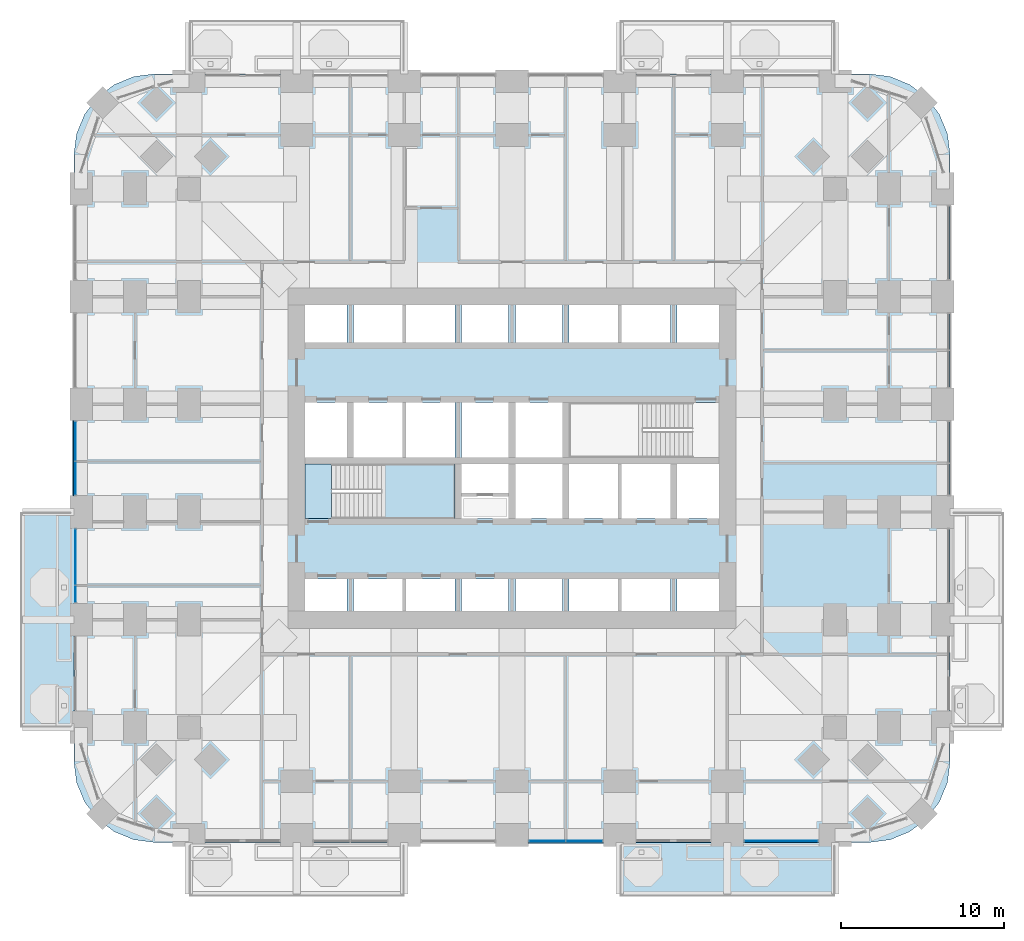
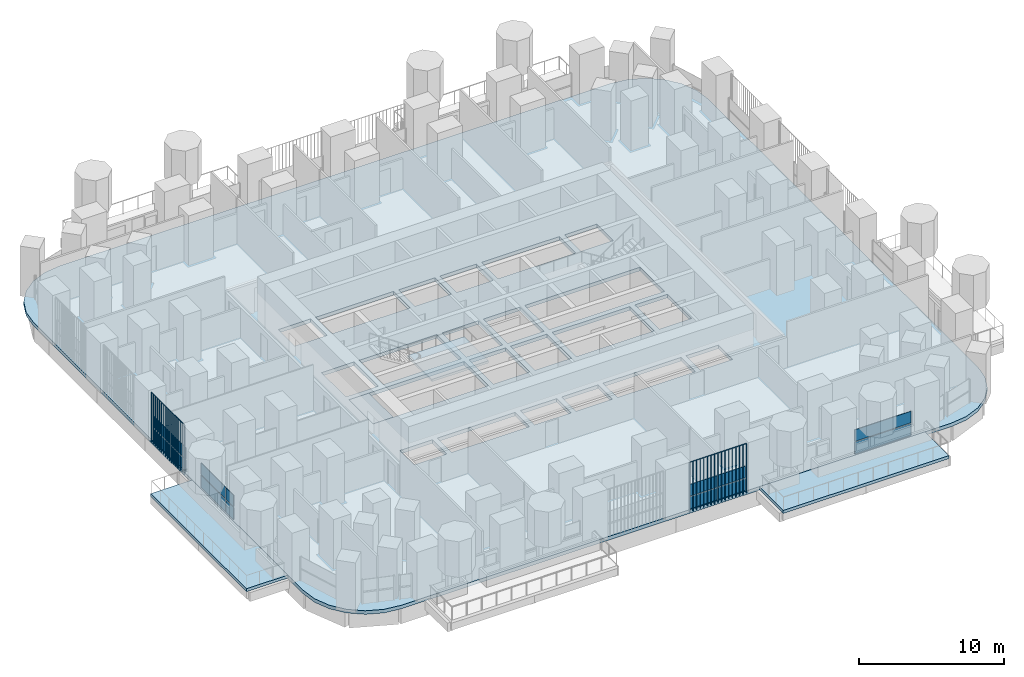
# One storey, part 12 of 27: 16 plates, 5 slabs, 5 elements without a shape of their own.
"""IFC4 building model written with IfcOpenShell, lengths in metres."""

from ifc_helpers import new_model, si_unit, direction, frame, origin, origin_2d, place, context, subcontext, project, spatial, polyline, rectangle, outline, extrude, material, layer, layer_set, type_object, element, aggregate, save


model = new_model("IFC4")

# Units and contexts
model_context = context("Model", 3, precision=1e-05, world=origin(), true_north=direction((0.0, 1.0)))
body_context = subcontext(model_context, "Body", "Model", "MODEL_VIEW")
ifc_project = project(units=[si_unit("LENGTHUNIT", "METRE"), si_unit("AREAUNIT", "SQUARE_METRE"), si_unit("VOLUMEUNIT", "CUBIC_METRE"), si_unit("PLANEANGLEUNIT", "RADIAN"), si_unit("MASSUNIT", "GRAM", prefix="KILO")], contexts=[model_context])

# Site, building, storey
site_placement = place(None, origin())
site = spatial("IfcSite", under=ifc_project, at=site_placement, CompositionType="ELEMENT")
building_placement = place(site_placement, origin())
building = spatial("IfcBuilding", under=site, at=building_placement, Name="Cobogo Forest Laboratory Tower", CompositionType="ELEMENT")
storey_placement = place(building_placement, frame((0.0, 0.0, 71.699951171875)))
storey = spatial("IfcBuildingStorey", under=building, at=storey_placement, Name="L16", CompositionType="ELEMENT", Elevation=71.699951171875)

# Slabs
ifc_material_1 = material(Name="Concrete HA-40 (C40/50)", Category="concrete")
ifc_layer_1 = layer(ifc_material_1, 0.25)
ifc_layer_set_1 = layer_set([ifc_layer_1], Name="Balcony slab 250")
slab_type_1 = type_object("IfcSlabType", Name="Balcony slab 250", PredefinedType="FLOOR", material=ifc_layer_set_1)
slab_1_placement = place(storey_placement, frame((0.0, 0.0, -0.25)))
element("IfcSlab", 1, at=slab_1_placement, inside=storey, type_object=slab_type_1, Name="Balcony BAL-S2 L16", PredefinedType="FLOOR", context=body_context, shape_type="SweptSolid", body=[
    extrude(outline(polyline([(33.0, -3.75), (46.199951171875, -3.75), (46.199951171875, -0.449951171875), (33.0, -0.449951171875), (33.0, -3.75)])), origin(), (0.0, 0.0, 1.0), 0.25),
])
slab_2_placement = place(storey_placement, frame((0.0, 0.0, -0.25)))
element("IfcSlab", 2, at=slab_2_placement, inside=storey, type_object=slab_type_1, Name="Balcony BAL-W1 L16", PredefinedType="FLOOR", context=body_context, shape_type="SweptSolid", body=[
    extrude(outline(polyline([(-3.75, 6.60009765625), (-0.449951171875, 6.60009765625), (-0.449951171875, 19.800048828125), (-3.75, 19.800048828125), (-3.75, 6.60009765625)])), origin(), (0.0, 0.0, 1.0), 0.25),
])
ifc_layer_2 = layer(ifc_material_1, 0.300048828125)
ifc_layer_set_2 = layer_set([ifc_layer_2], Name="Floor slab 300")
slab_type_2 = type_object("IfcSlabType", Name="Floor slab 300", PredefinedType="FLOOR", material=ifc_layer_set_2)
slab_3_placement = place(storey_placement, frame((0.0, 0.0, -0.300048828125)))
element("IfcSlab", 3, at=slab_3_placement, inside=storey, type_object=slab_type_2, Name="L16 floor slab", PredefinedType="FLOOR", context=body_context, shape_type="SweptSolid", body=[
    extrude(outline(polyline([(48.300048828125, -0.449951171875), (49.5810546875, -0.28125), (50.77490234375, 0.213134765625), (51.80029296875, 0.999755859375), (52.5869140625, 2.02490234375), (53.081298828125, 3.21875), (53.25, 4.5), (53.25, 41.699951171875), (53.081298828125, 42.981201171875), (52.5869140625, 44.175048828125), (51.80029296875, 45.2001953125), (50.77490234375, 45.98681640625), (49.5810546875, 46.4814453125), (48.300048828125, 46.64990234375), (4.5, 46.64990234375), (3.21875, 46.4814453125), (2.02490234375, 45.98681640625), (0.999755859375, 45.2001953125), (0.213134765625, 44.175048828125), (-0.28125, 42.981201171875), (-0.449951171875, 41.699951171875), (-0.449951171875, 4.5), (-0.28125, 3.21875), (0.213134765625, 2.02490234375), (0.999755859375, 0.999755859375), (2.02490234375, 0.213134765625), (3.21875, -0.28125), (4.5, -0.449951171875), (48.300048828125, -0.449951171875)]), holes=[polyline([(16.300048828125, 13.72509765625), (13.72509765625, 13.72509765625), (13.72509765625, 15.699951171875), (16.300048828125, 15.699951171875), (16.300048828125, 13.72509765625)]), polyline([(22.89990234375, 15.699951171875), (22.89990234375, 13.72509765625), (16.699951171875, 13.72509765625), (16.699951171875, 15.699951171875), (22.89990234375, 15.699951171875)]), polyline([(23.300048828125, 13.72509765625), (23.300048828125, 15.699951171875), (26.199951171875, 15.699951171875), (26.199951171875, 13.72509765625), (23.300048828125, 13.72509765625)]), polyline([(29.5, 13.72509765625), (26.60009765625, 13.72509765625), (26.60009765625, 15.699951171875), (29.5, 15.699951171875), (29.5, 13.72509765625)]), polyline([(36.10009765625, 15.699951171875), (36.10009765625, 13.72509765625), (29.89990234375, 13.72509765625), (29.89990234375, 15.699951171875), (36.10009765625, 15.699951171875)]), polyline([(36.5, 13.72509765625), (36.5, 15.699951171875), (39.074951171875, 15.699951171875), (39.074951171875, 13.72509765625), (36.5, 13.72509765625)]), polyline([(13.72509765625, 19.39990234375), (13.72509765625, 22.75), (22.89990234375, 22.75), (22.89990234375, 19.39990234375), (13.72509765625, 19.39990234375)]), polyline([(23.300048828125, 19.39990234375), (23.300048828125, 22.75), (26.199951171875, 22.75), (26.199951171875, 19.39990234375), (23.300048828125, 19.39990234375)]), polyline([(26.60009765625, 19.39990234375), (26.60009765625, 22.75), (29.5, 22.75), (29.5, 19.39990234375), (26.60009765625, 19.39990234375)]), polyline([(36.10009765625, 22.75), (36.10009765625, 19.39990234375), (29.89990234375, 19.39990234375), (29.89990234375, 22.75), (36.10009765625, 22.75)]), polyline([(39.074951171875, 19.39990234375), (36.5, 19.39990234375), (36.5, 22.75), (39.074951171875, 22.75), (39.074951171875, 19.39990234375)]), polyline([(13.72509765625, 23.14990234375), (13.72509765625, 26.5), (16.300048828125, 26.5), (16.300048828125, 23.14990234375), (13.72509765625, 23.14990234375)]), polyline([(22.89990234375, 26.5), (22.89990234375, 23.14990234375), (16.699951171875, 23.14990234375), (16.699951171875, 26.5), (22.89990234375, 26.5)]), polyline([(23.300048828125, 23.14990234375), (23.300048828125, 26.5), (26.199951171875, 26.5), (26.199951171875, 23.14990234375), (23.300048828125, 23.14990234375)]), polyline([(26.60009765625, 23.14990234375), (26.60009765625, 26.5), (29.5, 26.5), (29.5, 23.14990234375), (26.60009765625, 23.14990234375)]), polyline([(29.89990234375, 23.14990234375), (29.89990234375, 26.5), (39.074951171875, 26.5), (39.074951171875, 23.14990234375), (29.89990234375, 23.14990234375)]), polyline([(13.72509765625, 30.199951171875), (13.72509765625, 32.47509765625), (16.300048828125, 32.47509765625), (16.300048828125, 30.199951171875), (13.72509765625, 30.199951171875)]), polyline([(22.89990234375, 32.47509765625), (22.89990234375, 30.199951171875), (16.699951171875, 30.199951171875), (16.699951171875, 32.47509765625), (22.89990234375, 32.47509765625)]), polyline([(23.300048828125, 30.199951171875), (23.300048828125, 32.47509765625), (26.199951171875, 32.47509765625), (26.199951171875, 30.199951171875), (23.300048828125, 30.199951171875)]), polyline([(26.60009765625, 30.199951171875), (26.60009765625, 32.47509765625), (29.5, 32.47509765625), (29.5, 30.199951171875), (26.60009765625, 30.199951171875)]), polyline([(36.10009765625, 32.47509765625), (36.10009765625, 30.199951171875), (29.89990234375, 30.199951171875), (29.89990234375, 32.47509765625), (36.10009765625, 32.47509765625)]), polyline([(36.5, 30.199951171875), (36.5, 32.47509765625), (39.074951171875, 32.47509765625), (39.074951171875, 30.199951171875), (36.5, 30.199951171875)])]), origin(), (0.0, 0.0, 1.0), 0.300048828125),
])

# Curtain wall, plates
ifc_material_2 = material(Name="Aluminium curtain wall", Category="aluminium")
curtain_wall_type = type_object("IfcCurtainWallType", Name="CW-1 unitised curtain wall, clear glazing, laboratory floors zones A and B", PredefinedType="USERDEFINED", material=ifc_material_2)
curtain_wall_1_placement = place(storey_placement, origin())
curtain_wall_1 = element("IfcCurtainWall", 4, at=curtain_wall_1_placement, inside=storey, type_object=curtain_wall_type, Name="Curtain wall 04 L16", ObjectType="UNITISED CURTAIN WALL", PredefinedType="USERDEFINED")
ifc_material_3 = material(Name="Clear insulated glass", Category="glass")
ifc_layer_3 = layer(ifc_material_3, 0.028076171875)
ifc_layer_set_3 = layer_set([ifc_layer_3], Name="GP-1 clear insulated glass unit 28")
plate_type_1 = type_object("IfcPlateType", Name="GP-1 clear insulated glass unit 28", PredefinedType="CURTAIN_PANEL", material=ifc_layer_set_3)
plate_1_placement = place(storey_placement, frame((28.56494140625, -0.35009765625, 0.0), z_axis=(0.0, 0.0, 1.0), x_axis=(1.0, 0.0, 0.0)))
plate_1 = element("IfcPlate", 5, at=plate_1_placement, type_object=plate_type_1, Name="CW-1 panel 1.1", PredefinedType="CURTAIN_PANEL", context=body_context, shape_type="SweptSolid", body=[
    extrude(rectangle(XDim=2.2099609375, YDim=0.028076171875, at=origin_2d()), origin(), (0.0, 0.0, 1.0), 1.02001953125),
])
plate_2_placement = place(storey_placement, frame((28.56494140625, -0.35009765625, 1.080078125), z_axis=(0.0, 0.0, 1.0), x_axis=(1.0, 0.0, 0.0)))
plate_2 = element("IfcPlate", 6, at=plate_2_placement, type_object=plate_type_1, Name="CW-1 panel 1.2", PredefinedType="CURTAIN_PANEL", context=body_context, shape_type="SweptSolid", body=[
    extrude(rectangle(XDim=2.2099609375, YDim=0.028076171875, at=origin_2d()), origin(), (0.0, 0.0, 1.0), 0.969970703125),
])
plate_3_placement = place(storey_placement, frame((30.8349609375, -0.35009765625, 0.0), z_axis=(0.0, 0.0, 1.0), x_axis=(1.0, 0.0, 0.0)))
plate_3 = element("IfcPlate", 7, at=plate_3_placement, type_object=plate_type_1, Name="CW-1 panel 2.1", PredefinedType="CURTAIN_PANEL", context=body_context, shape_type="SweptSolid", body=[
    extrude(rectangle(XDim=2.2099609375, YDim=0.028076171875, at=origin_2d()), origin(), (0.0, 0.0, 1.0), 1.02001953125),
])
plate_4_placement = place(storey_placement, frame((30.8349609375, -0.35009765625, 1.080078125), z_axis=(0.0, 0.0, 1.0), x_axis=(1.0, 0.0, 0.0)))
plate_4 = element("IfcPlate", 8, at=plate_4_placement, type_object=plate_type_1, Name="CW-1 panel 2.2", PredefinedType="CURTAIN_PANEL", context=body_context, shape_type="SweptSolid", body=[
    extrude(rectangle(XDim=2.2099609375, YDim=0.028076171875, at=origin_2d()), origin(), (0.0, 0.0, 1.0), 0.969970703125),
])
aggregate(curtain_wall_1, [plate_1, plate_2, plate_3, plate_4])

curtain_wall_2_placement = place(storey_placement, origin())
curtain_wall_2 = element("IfcCurtainWall", 9, at=curtain_wall_2_placement, inside=storey, type_object=curtain_wall_type, Name="Curtain wall 06 L16", ObjectType="UNITISED CURTAIN WALL", PredefinedType="USERDEFINED")
plate_5_placement = place(storey_placement, frame((42.89990234375, -0.35009765625, 0.0), z_axis=(0.0, 0.0, 1.0), x_axis=(1.0, 0.0, 0.0)))
plate_5 = element("IfcPlate", 10, at=plate_5_placement, type_object=plate_type_1, Name="CW-1 panel 1.1", PredefinedType="CURTAIN_PANEL", context=body_context, shape_type="SweptSolid", body=[
    extrude(rectangle(XDim=4.47998046875, YDim=0.028076171875, at=origin_2d()), origin(), (0.0, 0.0, 1.0), 1.02001953125),
])
plate_6_placement = place(storey_placement, frame((42.89990234375, -0.35009765625, 1.080078125), z_axis=(0.0, 0.0, 1.0), x_axis=(1.0, 0.0, 0.0)))
plate_6 = element("IfcPlate", 11, at=plate_6_placement, type_object=plate_type_1, Name="CW-1 panel 1.2", PredefinedType="CURTAIN_PANEL", context=body_context, shape_type="SweptSolid", body=[
    extrude(rectangle(XDim=4.47998046875, YDim=0.028076171875, at=origin_2d()), origin(), (0.0, 0.0, 1.0), 0.969970703125),
])
aggregate(curtain_wall_2, [plate_5, plate_6])

curtain_wall_3_placement = place(storey_placement, origin())
curtain_wall_3 = element("IfcCurtainWall", 12, at=curtain_wall_3_placement, inside=storey, type_object=curtain_wall_type, Name="Curtain wall 29 L16", ObjectType="UNITISED CURTAIN WALL", PredefinedType="USERDEFINED")
plate_7_placement = place(storey_placement, frame((-0.35009765625, 24.135009765625, 0.0), z_axis=(0.0, 0.0, 1.0), x_axis=(0.0, -1.0, 0.0)))
plate_7 = element("IfcPlate", 13, at=plate_7_placement, type_object=plate_type_1, Name="CW-1 panel 1.1", PredefinedType="CURTAIN_PANEL", context=body_context, shape_type="SweptSolid", body=[
    extrude(rectangle(XDim=2.409912109375, YDim=0.028076171875, at=origin_2d()), origin(), (0.0, 0.0, 1.0), 1.02001953125),
])
plate_8_placement = place(storey_placement, frame((-0.35009765625, 24.135009765625, 1.080078125), z_axis=(0.0, 0.0, 1.0), x_axis=(0.0, -1.0, 0.0)))
plate_8 = element("IfcPlate", 14, at=plate_8_placement, type_object=plate_type_1, Name="CW-1 panel 1.2", PredefinedType="CURTAIN_PANEL", context=body_context, shape_type="SweptSolid", body=[
    extrude(rectangle(XDim=2.409912109375, YDim=0.028076171875, at=origin_2d()), origin(), (0.0, 0.0, 1.0), 0.969970703125),
])
plate_9_placement = place(storey_placement, frame((-0.35009765625, 21.864990234375, 0.0), z_axis=(0.0, 0.0, 1.0), x_axis=(0.0, -1.0, 0.0)))
plate_9 = element("IfcPlate", 15, at=plate_9_placement, type_object=plate_type_1, Name="CW-1 panel 2.1", PredefinedType="CURTAIN_PANEL", context=body_context, shape_type="SweptSolid", body=[
    extrude(rectangle(XDim=2.010009765625, YDim=0.028076171875, at=origin_2d()), origin(), (0.0, 0.0, 1.0), 1.02001953125),
])
plate_10_placement = place(storey_placement, frame((-0.35009765625, 21.864990234375, 1.080078125), z_axis=(0.0, 0.0, 1.0), x_axis=(0.0, -1.0, 0.0)))
plate_10 = element("IfcPlate", 16, at=plate_10_placement, type_object=plate_type_1, Name="CW-1 panel 2.2", PredefinedType="CURTAIN_PANEL", context=body_context, shape_type="SweptSolid", body=[
    extrude(rectangle(XDim=2.010009765625, YDim=0.028076171875, at=origin_2d()), origin(), (0.0, 0.0, 1.0), 0.969970703125),
])
aggregate(curtain_wall_3, [plate_7, plate_8, plate_9, plate_10])

curtain_wall_4_placement = place(storey_placement, origin())
curtain_wall_4 = element("IfcCurtainWall", 17, at=curtain_wall_4_placement, inside=storey, type_object=curtain_wall_type, Name="Curtain wall 30 L16", ObjectType="UNITISED CURTAIN WALL", PredefinedType="USERDEFINED")
plate_11_placement = place(storey_placement, frame((-0.35009765625, 17.034912109375, 0.0), z_axis=(0.0, 0.0, 1.0), x_axis=(0.0, -1.0, 0.0)))
plate_11 = element("IfcPlate", 18, at=plate_11_placement, type_object=plate_type_1, Name="CW-1 panel 1.1", PredefinedType="CURTAIN_PANEL", context=body_context, shape_type="SweptSolid", body=[
    extrude(rectangle(XDim=3.409912109375, YDim=0.028076171875, at=origin_2d()), origin(), (0.0, 0.0, 1.0), 1.02001953125),
])
plate_12_placement = place(storey_placement, frame((-0.35009765625, 17.034912109375, 1.080078125), z_axis=(0.0, 0.0, 1.0), x_axis=(0.0, -1.0, 0.0)))
plate_12 = element("IfcPlate", 19, at=plate_12_placement, type_object=plate_type_1, Name="CW-1 panel 1.2", PredefinedType="CURTAIN_PANEL", context=body_context, shape_type="SweptSolid", body=[
    extrude(rectangle(XDim=3.409912109375, YDim=0.028076171875, at=origin_2d()), origin(), (0.0, 0.0, 1.0), 0.969970703125),
])
plate_13_placement = place(storey_placement, frame((-0.35009765625, 14.764892578125, 0.0), z_axis=(0.0, 0.0, 1.0), x_axis=(0.0, -1.0, 0.0)))
plate_13 = element("IfcPlate", 20, at=plate_13_placement, type_object=plate_type_1, Name="CW-1 panel 2.1", PredefinedType="CURTAIN_PANEL", context=body_context, shape_type="SweptSolid", body=[
    extrude(rectangle(XDim=1.010009765625, YDim=0.028076171875, at=origin_2d()), origin(), (0.0, 0.0, 1.0), 1.02001953125),
])
plate_14_placement = place(storey_placement, frame((-0.35009765625, 14.764892578125, 1.080078125), z_axis=(0.0, 0.0, 1.0), x_axis=(0.0, -1.0, 0.0)))
plate_14 = element("IfcPlate", 21, at=plate_14_placement, type_object=plate_type_1, Name="CW-1 panel 2.2", PredefinedType="CURTAIN_PANEL", context=body_context, shape_type="SweptSolid", body=[
    extrude(rectangle(XDim=1.010009765625, YDim=0.028076171875, at=origin_2d()), origin(), (0.0, 0.0, 1.0), 0.969970703125),
])
aggregate(curtain_wall_4, [plate_11, plate_12, plate_13, plate_14])

# Stair, slabs
ifc_material_4 = material(Name="Precast concrete HA-40 (C40/50)", Category="concrete")
stair_type = type_object("IfcStairType", Name="ST24 exit stair 24 risers", PredefinedType="HALF_TURN_STAIR", material=ifc_material_4)
stair_placement = place(storey_placement, origin())
stair = element("IfcStair", 22, at=stair_placement, inside=storey, type_object=stair_type, Name="Stair 1 L16 to L17", PredefinedType="HALF_TURN_STAIR")
ifc_layer_4 = layer(ifc_material_1, 0.199951171875)
ifc_layer_set_4 = layer_set([ifc_layer_4], Name="SL stair landing 200")
slab_type_3 = type_object("IfcSlabType", Name="SL stair landing 200", PredefinedType="LANDING", material=ifc_layer_set_4)
slab_4_placement = place(storey_placement, frame((0.0, 0.0, -0.199951171875)))
slab_4 = element("IfcSlab", 23, at=slab_4_placement, type_object=slab_type_3, Name="ST1 landing 1", PredefinedType="LANDING", context=body_context, shape_type="SweptSolid", body=[
    extrude(outline(polyline([(13.72509765625, 19.39990234375), (15.326904296875, 19.39990234375), (15.326904296875, 22.75), (13.72509765625, 22.75), (13.72509765625, 19.39990234375)])), origin(), (0.0, 0.0, 1.0), 0.199951171875),
])
slab_5_placement = place(storey_placement, frame((0.0, 0.0, 1.900146484375)))
slab_5 = element("IfcSlab", 24, at=slab_5_placement, type_object=slab_type_3, Name="ST1 landing 2", PredefinedType="LANDING", context=body_context, shape_type="SweptSolid", body=[
    extrude(outline(polyline([(18.403076171875, 19.39990234375), (22.89990234375, 19.39990234375), (22.89990234375, 22.75), (18.403076171875, 22.75), (18.403076171875, 19.39990234375)])), origin(), (0.0, 0.0, 1.0), 0.199951171875),
])
aggregate(stair, [slab_4, slab_5])

# Plates
ifc_material_5 = material(Name="Terracotta", Category="masonry")
plate_type_2 = type_object("IfcPlateType", Name="TB1 terracotta baguette screen", PredefinedType="USERDEFINED", material=ifc_material_5)
plate_15_placement = place(storey_placement, frame((27.43115234375, -0.477783203125, -0.14990234375)))
element("IfcPlate", 25, at=plate_15_placement, inside=storey, type_object=plate_type_2, Name="Baguette screen S4 L16", ObjectType="BAGUETTE SCREEN", PredefinedType="USERDEFINED", context=body_context, shape_type="SweptSolid", body=[
    extrude(outline(polyline([(0.02880859375, 0.011962890625), (0.011962890625, 0.02880859375), (-0.011962890625, 0.02880859375), (-0.02880859375, 0.011962890625), (-0.02880859375, -0.011962890625), (-0.011962890625, -0.02880859375), (0.011962890625, -0.02880859375), (0.02880859375, -0.011962890625), (0.02880859375, 0.011962890625)])), frame((0.0, 0.0, 4.168701171875), z_axis=(1.0, 0.0, 0.0), x_axis=(0.0, 1.0, 0.0)), (0.0, 0.0, 1.0), 4.53759765625),
    extrude(outline(polyline([(0.02880859375, 0.011962890625), (0.011962890625, 0.02880859375), (-0.011962890625, 0.02880859375), (-0.02880859375, 0.011962890625), (-0.02880859375, -0.011962890625), (-0.011962890625, -0.02880859375), (0.011962890625, -0.02880859375), (0.02880859375, -0.011962890625), (0.02880859375, 0.011962890625)])), origin(), (0.0, 0.0, 1.0), 4.137451171875),
    extrude(outline(polyline([(0.02880859375, 0.011962890625), (0.011962890625, 0.02880859375), (-0.011962890625, 0.02880859375), (-0.02880859375, 0.011962890625), (-0.02880859375, -0.011962890625), (-0.011962890625, -0.02880859375), (0.011962890625, -0.02880859375), (0.02880859375, -0.011962890625), (0.02880859375, 0.011962890625)])), frame((0.28369140625, 0.0, 0.0)), (0.0, 0.0, 1.0), 4.137451171875),
    extrude(outline(polyline([(0.02880859375, 0.011962890625), (0.011962890625, 0.02880859375), (-0.011962890625, 0.02880859375), (-0.02880859375, 0.011962890625), (-0.02880859375, -0.011962890625), (-0.011962890625, -0.02880859375), (0.011962890625, -0.02880859375), (0.02880859375, -0.011962890625), (0.02880859375, 0.011962890625)])), frame((0.567138671875, 0.0, 0.0)), (0.0, 0.0, 1.0), 4.137451171875),
    extrude(outline(polyline([(0.02880859375, 0.011962890625), (0.011962890625, 0.02880859375), (-0.011962890625, 0.02880859375), (-0.02880859375, 0.011962890625), (-0.02880859375, -0.011962890625), (-0.011962890625, -0.02880859375), (0.011962890625, -0.02880859375), (0.02880859375, -0.011962890625), (0.02880859375, 0.011962890625)])), frame((0.850830078125, 0.0, 0.0)), (0.0, 0.0, 1.0), 4.137451171875),
    extrude(outline(polyline([(0.02880859375, 0.011962890625), (0.011962890625, 0.02880859375), (-0.011962890625, 0.02880859375), (-0.02880859375, 0.011962890625), (-0.02880859375, -0.011962890625), (-0.011962890625, -0.02880859375), (0.011962890625, -0.02880859375), (0.02880859375, -0.011962890625), (0.02880859375, 0.011962890625)])), frame((1.13427734375, 0.0, 0.0)), (0.0, 0.0, 1.0), 4.137451171875),
    extrude(outline(polyline([(0.02880859375, 0.011962890625), (0.011962890625, 0.02880859375), (-0.011962890625, 0.02880859375), (-0.02880859375, 0.011962890625), (-0.02880859375, -0.011962890625), (-0.011962890625, -0.02880859375), (0.011962890625, -0.02880859375), (0.02880859375, -0.011962890625), (0.02880859375, 0.011962890625)])), frame((1.41796875, 0.0, 0.0)), (0.0, 0.0, 1.0), 4.137451171875),
    extrude(outline(polyline([(0.02880859375, 0.011962890625), (0.011962890625, 0.02880859375), (-0.011962890625, 0.02880859375), (-0.02880859375, 0.011962890625), (-0.02880859375, -0.011962890625), (-0.011962890625, -0.02880859375), (0.011962890625, -0.02880859375), (0.02880859375, -0.011962890625), (0.02880859375, 0.011962890625)])), frame((1.70166015625, 0.0, 0.0)), (0.0, 0.0, 1.0), 4.137451171875),
    extrude(outline(polyline([(0.02880859375, 0.011962890625), (0.011962890625, 0.02880859375), (-0.011962890625, 0.02880859375), (-0.02880859375, 0.011962890625), (-0.02880859375, -0.011962890625), (-0.011962890625, -0.02880859375), (0.011962890625, -0.02880859375), (0.02880859375, -0.011962890625), (0.02880859375, 0.011962890625)])), frame((1.985107421875, 0.0, 0.0)), (0.0, 0.0, 1.0), 4.137451171875),
    extrude(outline(polyline([(0.02880859375, 0.011962890625), (0.011962890625, 0.02880859375), (-0.011962890625, 0.02880859375), (-0.02880859375, 0.011962890625), (-0.02880859375, -0.011962890625), (-0.011962890625, -0.02880859375), (0.011962890625, -0.02880859375), (0.02880859375, -0.011962890625), (0.02880859375, 0.011962890625)])), frame((2.268798828125, 0.0, 0.0)), (0.0, 0.0, 1.0), 4.137451171875),
    extrude(outline(polyline([(0.02880859375, 0.011962890625), (0.011962890625, 0.02880859375), (-0.011962890625, 0.02880859375), (-0.02880859375, 0.011962890625), (-0.02880859375, -0.011962890625), (-0.011962890625, -0.02880859375), (0.011962890625, -0.02880859375), (0.02880859375, -0.011962890625), (0.02880859375, 0.011962890625)])), frame((2.552490234375, 0.0, 0.0)), (0.0, 0.0, 1.0), 4.137451171875),
    extrude(outline(polyline([(0.02880859375, 0.011962890625), (0.011962890625, 0.02880859375), (-0.011962890625, 0.02880859375), (-0.02880859375, 0.011962890625), (-0.02880859375, -0.011962890625), (-0.011962890625, -0.02880859375), (0.011962890625, -0.02880859375), (0.02880859375, -0.011962890625), (0.02880859375, 0.011962890625)])), frame((2.8359375, 0.0, 0.0)), (0.0, 0.0, 1.0), 4.137451171875),
    extrude(outline(polyline([(0.02880859375, 0.011962890625), (0.011962890625, 0.02880859375), (-0.011962890625, 0.02880859375), (-0.02880859375, 0.011962890625), (-0.02880859375, -0.011962890625), (-0.011962890625, -0.02880859375), (0.011962890625, -0.02880859375), (0.02880859375, -0.011962890625), (0.02880859375, 0.011962890625)])), frame((3.11962890625, 0.0, 0.0)), (0.0, 0.0, 1.0), 4.137451171875),
    extrude(outline(polyline([(0.02880859375, 0.011962890625), (0.011962890625, 0.02880859375), (-0.011962890625, 0.02880859375), (-0.02880859375, 0.011962890625), (-0.02880859375, -0.011962890625), (-0.011962890625, -0.02880859375), (0.011962890625, -0.02880859375), (0.02880859375, -0.011962890625), (0.02880859375, 0.011962890625)])), frame((3.4033203125, 0.0, 0.0)), (0.0, 0.0, 1.0), 4.137451171875),
    extrude(outline(polyline([(0.02880859375, 0.011962890625), (0.011962890625, 0.02880859375), (-0.011962890625, 0.02880859375), (-0.02880859375, 0.011962890625), (-0.02880859375, -0.011962890625), (-0.011962890625, -0.02880859375), (0.011962890625, -0.02880859375), (0.02880859375, -0.011962890625), (0.02880859375, 0.011962890625)])), frame((3.686767578125, 0.0, 0.0)), (0.0, 0.0, 1.0), 4.137451171875),
    extrude(outline(polyline([(0.02880859375, 0.011962890625), (0.011962890625, 0.02880859375), (-0.011962890625, 0.02880859375), (-0.02880859375, 0.011962890625), (-0.02880859375, -0.011962890625), (-0.011962890625, -0.02880859375), (0.011962890625, -0.02880859375), (0.02880859375, -0.011962890625), (0.02880859375, 0.011962890625)])), frame((3.970458984375, 0.0, 0.0)), (0.0, 0.0, 1.0), 4.137451171875),
    extrude(outline(polyline([(0.02880859375, 0.011962890625), (0.011962890625, 0.02880859375), (-0.011962890625, 0.02880859375), (-0.02880859375, 0.011962890625), (-0.02880859375, -0.011962890625), (-0.011962890625, -0.02880859375), (0.011962890625, -0.02880859375), (0.02880859375, -0.011962890625), (0.02880859375, 0.011962890625)])), frame((4.25390625, 0.0, 0.0)), (0.0, 0.0, 1.0), 4.137451171875),
    extrude(outline(polyline([(0.02880859375, 0.011962890625), (0.011962890625, 0.02880859375), (-0.011962890625, 0.02880859375), (-0.02880859375, 0.011962890625), (-0.02880859375, -0.011962890625), (-0.011962890625, -0.02880859375), (0.011962890625, -0.02880859375), (0.02880859375, -0.011962890625), (0.02880859375, 0.011962890625)])), frame((4.53759765625, 0.0, 0.0)), (0.0, 0.0, 1.0), 4.137451171875),
])
plate_16_placement = place(storey_placement, frame((-0.477783203125, 20.831298828125, -0.14990234375)))
element("IfcPlate", 26, at=plate_16_placement, inside=storey, type_object=plate_type_2, Name="Baguette screen W3 L16", ObjectType="BAGUETTE SCREEN", PredefinedType="USERDEFINED", context=body_context, shape_type="SweptSolid", body=[
    extrude(outline(polyline([(0.02880859375, 0.011962890625), (0.011962890625, 0.02880859375), (-0.011962890625, 0.02880859375), (-0.02880859375, 0.011962890625), (-0.02880859375, -0.011962890625), (-0.011962890625, -0.02880859375), (0.011962890625, -0.02880859375), (0.02880859375, -0.011962890625), (0.02880859375, 0.011962890625)])), frame((0.0, 0.0, 4.168701171875), z_axis=(0.0, 1.0, 0.0), x_axis=(-1.0, 0.0, 0.0)), (0.0, 0.0, 1.0), 4.537353515625),
    extrude(outline(polyline([(0.02880859375, 0.011962890625), (0.011962890625, 0.02880859375), (-0.011962890625, 0.02880859375), (-0.02880859375, 0.011962890625), (-0.02880859375, -0.011962890625), (-0.011962890625, -0.02880859375), (0.011962890625, -0.02880859375), (0.02880859375, -0.011962890625), (0.02880859375, 0.011962890625)])), origin(), (0.0, 0.0, 1.0), 4.137451171875),
    extrude(outline(polyline([(0.02880859375, 0.011962890625), (0.011962890625, 0.02880859375), (-0.011962890625, 0.02880859375), (-0.02880859375, 0.011962890625), (-0.02880859375, -0.011962890625), (-0.011962890625, -0.02880859375), (0.011962890625, -0.02880859375), (0.02880859375, -0.011962890625), (0.02880859375, 0.011962890625)])), frame((0.0, 0.28369140625, 0.0)), (0.0, 0.0, 1.0), 4.137451171875),
    extrude(outline(polyline([(0.02880859375, 0.011962890625), (0.011962890625, 0.02880859375), (-0.011962890625, 0.02880859375), (-0.02880859375, 0.011962890625), (-0.02880859375, -0.011962890625), (-0.011962890625, -0.02880859375), (0.011962890625, -0.02880859375), (0.02880859375, -0.011962890625), (0.02880859375, 0.011962890625)])), frame((0.0, 0.567138671875, 0.0)), (0.0, 0.0, 1.0), 4.137451171875),
    extrude(outline(polyline([(0.02880859375, 0.011962890625), (0.011962890625, 0.02880859375), (-0.011962890625, 0.02880859375), (-0.02880859375, 0.011962890625), (-0.02880859375, -0.011962890625), (-0.011962890625, -0.02880859375), (0.011962890625, -0.02880859375), (0.02880859375, -0.011962890625), (0.02880859375, 0.011962890625)])), frame((0.0, 0.850830078125, 0.0)), (0.0, 0.0, 1.0), 4.137451171875),
    extrude(outline(polyline([(0.02880859375, 0.011962890625), (0.011962890625, 0.02880859375), (-0.011962890625, 0.02880859375), (-0.02880859375, 0.011962890625), (-0.02880859375, -0.011962890625), (-0.011962890625, -0.02880859375), (0.011962890625, -0.02880859375), (0.02880859375, -0.011962890625), (0.02880859375, 0.011962890625)])), frame((0.0, 1.13427734375, 0.0)), (0.0, 0.0, 1.0), 4.137451171875),
    extrude(outline(polyline([(0.02880859375, 0.011962890625), (0.011962890625, 0.02880859375), (-0.011962890625, 0.02880859375), (-0.02880859375, 0.011962890625), (-0.02880859375, -0.011962890625), (-0.011962890625, -0.02880859375), (0.011962890625, -0.02880859375), (0.02880859375, -0.011962890625), (0.02880859375, 0.011962890625)])), frame((0.0, 1.41796875, 0.0)), (0.0, 0.0, 1.0), 4.137451171875),
    extrude(outline(polyline([(0.02880859375, 0.011962890625), (0.011962890625, 0.02880859375), (-0.011962890625, 0.02880859375), (-0.02880859375, 0.011962890625), (-0.02880859375, -0.011962890625), (-0.011962890625, -0.02880859375), (0.011962890625, -0.02880859375), (0.02880859375, -0.011962890625), (0.02880859375, 0.011962890625)])), frame((0.0, 1.701416015625, 0.0)), (0.0, 0.0, 1.0), 4.137451171875),
    extrude(outline(polyline([(0.02880859375, 0.011962890625), (0.011962890625, 0.02880859375), (-0.011962890625, 0.02880859375), (-0.02880859375, 0.011962890625), (-0.02880859375, -0.011962890625), (-0.011962890625, -0.02880859375), (0.011962890625, -0.02880859375), (0.02880859375, -0.011962890625), (0.02880859375, 0.011962890625)])), frame((0.0, 1.985107421875, 0.0)), (0.0, 0.0, 1.0), 4.137451171875),
    extrude(outline(polyline([(0.02880859375, 0.011962890625), (0.011962890625, 0.02880859375), (-0.011962890625, 0.02880859375), (-0.02880859375, 0.011962890625), (-0.02880859375, -0.011962890625), (-0.011962890625, -0.02880859375), (0.011962890625, -0.02880859375), (0.02880859375, -0.011962890625), (0.02880859375, 0.011962890625)])), frame((0.0, 2.2685546875, 0.0)), (0.0, 0.0, 1.0), 4.137451171875),
    extrude(outline(polyline([(0.02880859375, 0.011962890625), (0.011962890625, 0.02880859375), (-0.011962890625, 0.02880859375), (-0.02880859375, 0.011962890625), (-0.02880859375, -0.011962890625), (-0.011962890625, -0.02880859375), (0.011962890625, -0.02880859375), (0.02880859375, -0.011962890625), (0.02880859375, 0.011962890625)])), frame((0.0, 2.55224609375, 0.0)), (0.0, 0.0, 1.0), 4.137451171875),
    extrude(outline(polyline([(0.02880859375, 0.011962890625), (0.011962890625, 0.02880859375), (-0.011962890625, 0.02880859375), (-0.02880859375, 0.011962890625), (-0.02880859375, -0.011962890625), (-0.011962890625, -0.02880859375), (0.011962890625, -0.02880859375), (0.02880859375, -0.011962890625), (0.02880859375, 0.011962890625)])), frame((0.0, 2.8359375, 0.0)), (0.0, 0.0, 1.0), 4.137451171875),
    extrude(outline(polyline([(0.02880859375, 0.011962890625), (0.011962890625, 0.02880859375), (-0.011962890625, 0.02880859375), (-0.02880859375, 0.011962890625), (-0.02880859375, -0.011962890625), (-0.011962890625, -0.02880859375), (0.011962890625, -0.02880859375), (0.02880859375, -0.011962890625), (0.02880859375, 0.011962890625)])), frame((0.0, 3.119384765625, 0.0)), (0.0, 0.0, 1.0), 4.137451171875),
    extrude(outline(polyline([(0.02880859375, 0.011962890625), (0.011962890625, 0.02880859375), (-0.011962890625, 0.02880859375), (-0.02880859375, 0.011962890625), (-0.02880859375, -0.011962890625), (-0.011962890625, -0.02880859375), (0.011962890625, -0.02880859375), (0.02880859375, -0.011962890625), (0.02880859375, 0.011962890625)])), frame((0.0, 3.403076171875, 0.0)), (0.0, 0.0, 1.0), 4.137451171875),
    extrude(outline(polyline([(0.02880859375, 0.011962890625), (0.011962890625, 0.02880859375), (-0.011962890625, 0.02880859375), (-0.02880859375, 0.011962890625), (-0.02880859375, -0.011962890625), (-0.011962890625, -0.02880859375), (0.011962890625, -0.02880859375), (0.02880859375, -0.011962890625), (0.02880859375, 0.011962890625)])), frame((0.0, 3.6865234375, 0.0)), (0.0, 0.0, 1.0), 4.137451171875),
    extrude(outline(polyline([(0.02880859375, 0.011962890625), (0.011962890625, 0.02880859375), (-0.011962890625, 0.02880859375), (-0.02880859375, 0.011962890625), (-0.02880859375, -0.011962890625), (-0.011962890625, -0.02880859375), (0.011962890625, -0.02880859375), (0.02880859375, -0.011962890625), (0.02880859375, 0.011962890625)])), frame((0.0, 3.97021484375, 0.0)), (0.0, 0.0, 1.0), 4.137451171875),
    extrude(outline(polyline([(0.02880859375, 0.011962890625), (0.011962890625, 0.02880859375), (-0.011962890625, 0.02880859375), (-0.02880859375, 0.011962890625), (-0.02880859375, -0.011962890625), (-0.011962890625, -0.02880859375), (0.011962890625, -0.02880859375), (0.02880859375, -0.011962890625), (0.02880859375, 0.011962890625)])), frame((0.0, 4.253662109375, 0.0)), (0.0, 0.0, 1.0), 4.137451171875),
    extrude(outline(polyline([(0.02880859375, 0.011962890625), (0.011962890625, 0.02880859375), (-0.011962890625, 0.02880859375), (-0.02880859375, 0.011962890625), (-0.02880859375, -0.011962890625), (-0.011962890625, -0.02880859375), (0.011962890625, -0.02880859375), (0.02880859375, -0.011962890625), (0.02880859375, 0.011962890625)])), frame((0.0, 4.537353515625, 0.0)), (0.0, 0.0, 1.0), 4.137451171875),
])

save(model, "model.ifc")
